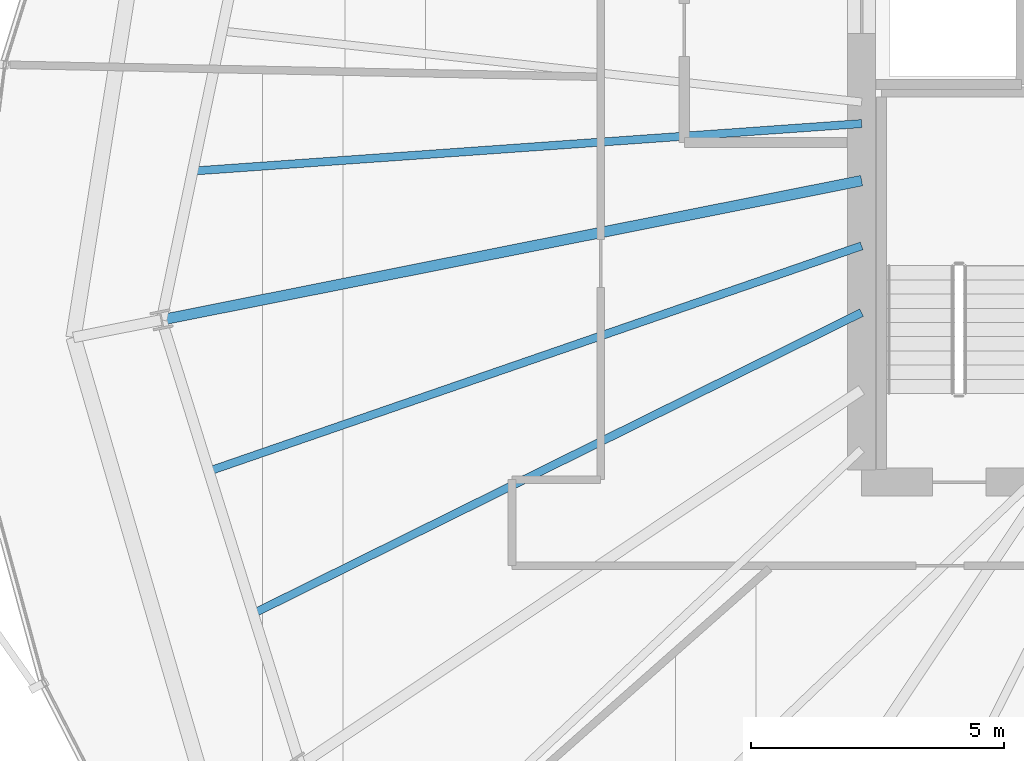
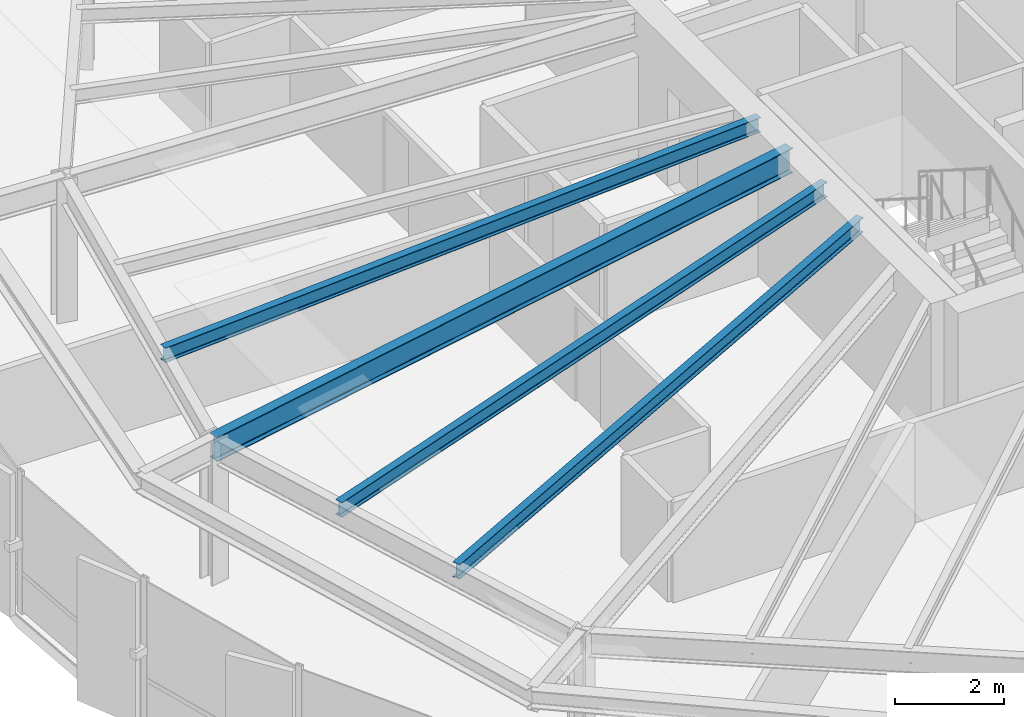
# One storey, part 10 of 35: 4 beams.
"""IFC4 building model written with IfcOpenShell, lengths in metres."""

from ifc_helpers import new_model, si_unit, direction, frame, origin, origin_2d, place, context, subcontext, project, spatial, i_section, extrude, source, transform, mapped, material, material_profile, profile_set, type_object, element, save


model = new_model("IFC4")

# Units and contexts
model_context = context("Model", 3, precision=1e-05, world=origin(), true_north=direction((0.0, 1.0)))
body_context = subcontext(model_context, "Body", "Model", "MODEL_VIEW")
ifc_project = project(units=[si_unit("LENGTHUNIT", "METRE"), si_unit("AREAUNIT", "SQUARE_METRE"), si_unit("VOLUMEUNIT", "CUBIC_METRE"), si_unit("PLANEANGLEUNIT", "RADIAN"), si_unit("MASSUNIT", "GRAM", prefix="KILO"), si_unit("THERMODYNAMICTEMPERATUREUNIT", "KELVIN")], contexts=[model_context])

# Site, building, storey
site_placement = place(None, origin())
site = spatial("IfcSite", under=ifc_project, at=site_placement, CompositionType="ELEMENT")
building_placement = place(site_placement, origin())
building = spatial("IfcBuilding", under=site, at=building_placement, Name="Kethvar Cultural Tower", CompositionType="ELEMENT")
storey_placement = place(building_placement, frame((0.0, 0.0, 167.85009765625)))
storey = spatial("IfcBuildingStorey", under=building, at=storey_placement, Name="L43", CompositionType="ELEMENT", Elevation=167.85009765625)

# Beams
ifc_material = material(Name="Steel S355J2", Category="steel")
ifc_material_profile_1 = material_profile(ifc_material, i_section(OverallWidth=0.2099609375, OverallDepth=0.550048828125, WebThickness=0.010986328125, FlangeThickness=0.01708984375, FilletRadius=0.02392578125, at=origin_2d()), Name="Steel S355J2 — IPE550")
ifc_profile_set_1 = profile_set([ifc_material_profile_1], Name="Steel S355J2 — IPE550")
beam_type_1 = type_object("IfcBeamType", Name="BM-IPE550", PredefinedType="BEAM", material=ifc_profile_set_1)
shared_shape_1 = source(origin(), body_context, "Body", "SweptSolid", [
    extrude(i_section(OverallWidth=0.2099609375, OverallDepth=0.550048828125, WebThickness=0.010986328125, FlangeThickness=0.01708984375, FilletRadius=0.02392578125, at=origin_2d()), origin(), (0.0, 0.0, 1.0), 14.085205078125),
])
beam_1_placement = place(storey_placement, frame((38.0, 26.049560546875, 2.962890625), z_axis=(-0.98078679373, -0.195082713854, 0.0), x_axis=(0.195082713854, -0.98078679373, 0.0)))
element("IfcBeam", 1, at=beam_1_placement, inside=storey, type_object=beam_type_1, Name="L43 Primary Radial Beam RB-09", PredefinedType="BEAM", context=body_context, shape_type="MappedRepresentation", body=[
    mapped(shared_shape_1, transform((0.0, 0.0, 0.0), scale=1.0)),
])
ifc_material_profile_2 = material_profile(ifc_material, i_section(OverallWidth=0.159912109375, OverallDepth=0.330078125, WebThickness=0.007568359375, FlangeThickness=0.011474609375, FilletRadius=0.01806640625, at=origin_2d()), Name="Steel S355J2 — IPE330")
ifc_profile_set_2 = profile_set([ifc_material_profile_2], Name="Steel S355J2 — IPE330")
beam_type_2 = type_object("IfcBeamType", Name="BM-J330", PredefinedType="JOIST", material=ifc_profile_set_2)
shared_shape_2 = source(origin(), body_context, "Body", "SweptSolid", [
    extrude(i_section(OverallWidth=0.159912109375, OverallDepth=0.330078125, WebThickness=0.007568359375, FlangeThickness=0.011474609375, FilletRadius=0.01806640625, at=origin_2d()), origin(), (0.0, 0.0, 1.0), 13.234619140625),
])
beam_2_placement = place(storey_placement, frame((38.0, 27.175537109375, 3.072998046875), z_axis=(-0.997490530945, -0.070800004767, 0.0), x_axis=(0.070800004767, -0.997490530945, 0.0)))
element("IfcBeam", 2, at=beam_2_placement, inside=storey, type_object=beam_type_2, Name="L43 Composite Floor Joist J-08B", PredefinedType="JOIST", context=body_context, shape_type="MappedRepresentation", body=[
    mapped(shared_shape_2, transform((0.0, 0.0, 0.0), scale=1.0)),
])
shared_shape_3 = source(origin(), body_context, "Body", "SweptSolid", [
    extrude(i_section(OverallWidth=0.159912109375, OverallDepth=0.330078125, WebThickness=0.007568359375, FlangeThickness=0.011474609375, FilletRadius=0.01806640625, at=origin_2d()), origin(), (0.0, 0.0, 1.0), 13.630615234375),
])
beam_3_placement = place(storey_placement, frame((38.0, 24.762451171875, 3.072998046875), z_axis=(-0.945269577646, -0.326290400682, 0.0), x_axis=(0.326290400682, -0.945269577646, 0.0)))
element("IfcBeam", 3, at=beam_3_placement, inside=storey, type_object=beam_type_2, Name="L43 Composite Floor Joist J-09A", PredefinedType="JOIST", context=body_context, shape_type="MappedRepresentation", body=[
    mapped(shared_shape_3, transform((0.0, 0.0, 0.0), scale=1.0)),
])
shared_shape_4 = source(origin(), body_context, "Body", "SweptSolid", [
    extrude(i_section(OverallWidth=0.159912109375, OverallDepth=0.330078125, WebThickness=0.007568359375, FlangeThickness=0.011474609375, FilletRadius=0.01806640625, at=origin_2d()), origin(), (0.0, 0.0, 1.0), 13.39892578125),
])
beam_4_placement = place(storey_placement, frame((38.0, 23.44580078125, 3.072998046875), z_axis=(-0.896292467417, -0.44346342899, 0.0), x_axis=(0.44346342899, -0.896292467417, 0.0)))
element("IfcBeam", 4, at=beam_4_placement, inside=storey, type_object=beam_type_2, Name="L43 Composite Floor Joist J-09B", PredefinedType="JOIST", context=body_context, shape_type="MappedRepresentation", body=[
    mapped(shared_shape_4, transform((0.0, 0.0, 0.0), scale=1.0)),
])

save(model, "model.ifc")
